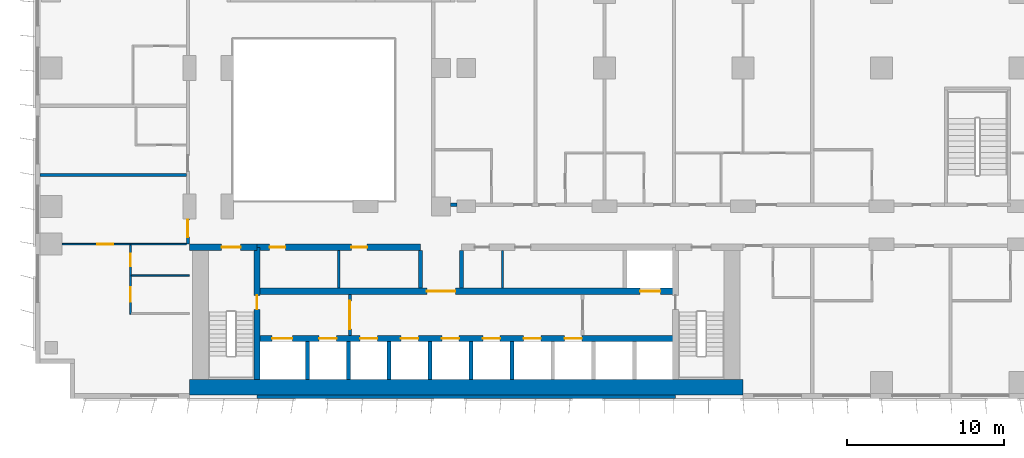
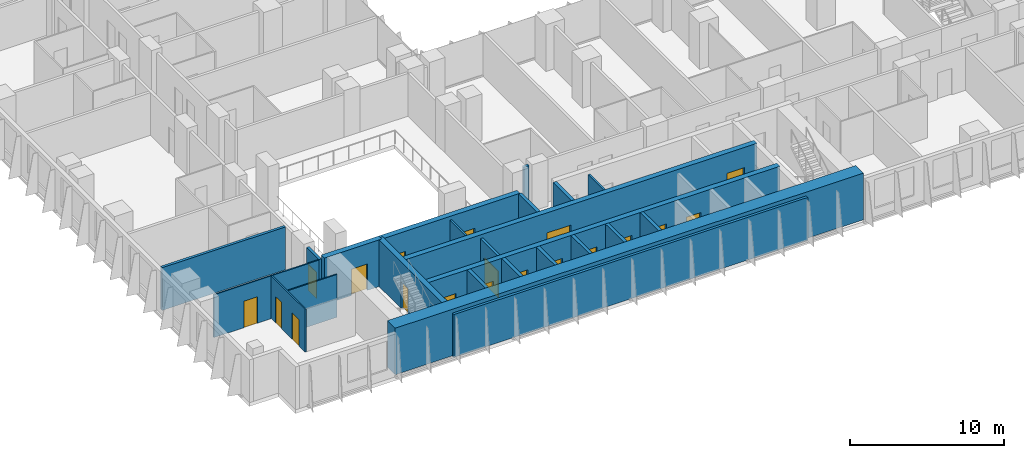
# One storey, part 12 of 24: 24 walls, 19 doors, 19 openings.
"""IFC4 building model written with IfcOpenShell, lengths in metres."""

from ifc_helpers import new_model, si_unit, direction, frame, frame_2d, origin, place, context, subcontext, project, spatial, rectangle, extrude, material, layer, layer_set, type_object, element, fill, save


model = new_model("IFC4")

# Units and contexts
model_context = context("Model", 3, precision=1e-05, world=origin(), true_north=direction((0.0, 1.0)))
body_context = subcontext(model_context, "Body", "Model", "MODEL_VIEW")
ifc_project = project(units=[si_unit("LENGTHUNIT", "METRE"), si_unit("AREAUNIT", "SQUARE_METRE"), si_unit("VOLUMEUNIT", "CUBIC_METRE"), si_unit("PLANEANGLEUNIT", "RADIAN"), si_unit("MASSUNIT", "GRAM", prefix="KILO")], contexts=[model_context])

# Site, building, storey
site_placement = place(None, origin())
site = spatial("IfcSite", under=ifc_project, at=site_placement, CompositionType="ELEMENT")
building_placement = place(site_placement, origin())
building = spatial("IfcBuilding", under=site, at=building_placement, Name="Kemantara Hotel Tower", CompositionType="ELEMENT")
storey_placement = place(building_placement, frame((0.0, 0.0, 59.89990234375)))
storey = spatial("IfcBuildingStorey", under=building, at=storey_placement, Name="L13", CompositionType="ELEMENT", Elevation=59.89990234375)

# Walls
ifc_material_1 = material(Name="Bronze anodised aluminium cladding on insulated steel stud wall", Category="steel")
ifc_layer_1 = layer(ifc_material_1, 0.199951171875)
ifc_layer_set_1 = layer_set([ifc_layer_1], Name="Bronze anodised aluminium cladding on insulated steel stud wall")
wall_type_1 = type_object("IfcWallType", Name="BRONZE METAL-CLAD EXTERNAL WALL 200", PredefinedType="STANDARD", material=ifc_layer_set_1)
wall_1_placement = place(storey_placement, frame((14.10009765625, 0.10009765625, 0.0), z_axis=(0.0, 0.0, 1.0), x_axis=(1.0, 0.0, 0.0)))
element("IfcWall", 1, at=wall_1_placement, inside=storey, type_object=wall_type_1, Name="EXTERNAL WALL L13 T1-R01-2", PredefinedType="STANDARD", context=body_context, shape_type="SweptSolid", body=[
    extrude(rectangle(XDim=26.599853515625, YDim=0.199951171875, at=frame_2d((13.2998046875, 0.0))), origin(), (0.0, 0.0, 1.0), 3.400146484375),
])
ifc_material_2 = material(Name="Concrete fc 70 MPa", Category="concrete")
ifc_layer_2 = layer(ifc_material_2, 1.0)
ifc_layer_set_2 = layer_set([ifc_layer_2], Name="Concrete fc 70 MPa")
wall_type_2 = type_object("IfcWallType", Name="CORE WALL 1000 FC70", PredefinedType="SHEAR", material=ifc_layer_set_2)
wall_2_placement = place(storey_placement, frame((9.800048828125, 0.699951171875, 0.0), z_axis=(0.0, 0.0, 1.0), x_axis=(1.0, 0.0, 0.0)))
element("IfcWall", 2, at=wall_2_placement, inside=storey, type_object=wall_type_2, Name="CORE WALL CW-S", PredefinedType="SHEAR", context=body_context, shape_type="SweptSolid", body=[
    extrude(rectangle(XDim=35.199951171875, YDim=1.0, at=frame_2d((17.60009765625, 0.0))), origin(), (0.0, 0.0, 1.0), 3.7001953125),
])
ifc_layer_3 = layer(ifc_material_2, 0.25)
ifc_layer_set_3 = layer_set([ifc_layer_3], Name="Concrete fc 70 MPa")
wall_type_3 = type_object("IfcWallType", Name="CORE WALL 250 FC70", PredefinedType="SHEAR", material=ifc_layer_set_3)
for number, where, z_axis, x_axis, name in (
    (3, (17.300048828125, 1.199951171875, 0.0), (0.0, 0.0, 1.0), (0.0, 1.0, 0.0), "CORE WALL CW-DS17.3"),
    (4, (19.89990234375, 1.199951171875, 0.0), (0.0, 0.0, 1.0), (0.0, 1.0, 0.0), "CORE WALL CW-DS19.9"),
    (5, (22.5, 1.199951171875, 0.0), (0.0, 0.0, 1.0), (0.0, 1.0, 0.0), "CORE WALL CW-DS22.5"),
    (6, (25.10009765625, 1.199951171875, 0.0), (0.0, 0.0, 1.0), (0.0, 1.0, 0.0), "CORE WALL CW-DS25.1"),
    (7, (27.699951171875, 1.199951171875, 0.0), (0.0, 0.0, 1.0), (0.0, 1.0, 0.0), "CORE WALL CW-DS27.7"),
    (8, (30.300048828125, 1.199951171875, 0.0), (0.0, 0.0, 1.0), (0.0, 1.0, 0.0), "CORE WALL CW-DS30.3"),
):
    element("IfcWall", number, at=place(storey_placement, frame(where, z_axis=z_axis, x_axis=x_axis)), inside=storey, type_object=wall_type_3, Name=name, PredefinedType="SHEAR", context=body_context, shape_type="SweptSolid", body=[
        extrude(rectangle(XDim=2.400146484375, YDim=0.25, at=frame_2d((1.2001953125, 0.0))), origin(), (0.0, 0.0, 1.0), 3.7001953125),
    ])
for number, where, z_axis, x_axis, name in (
    (9, (24.5, 7.0, 0.0), (0.0, 0.0, 1.0), (0.0, 1.0, 0.0), "CORE WALL CW-DN24.5"),
    (10, (27.10009765625, 7.0, 0.0), (0.0, 0.0, 1.0), (0.0, 1.0, 0.0), "CORE WALL CW-DN27.1"),
):
    element("IfcWall", number, at=place(storey_placement, frame(where, z_axis=z_axis, x_axis=x_axis)), inside=storey, type_object=wall_type_3, Name=name, PredefinedType="SHEAR", context=body_context, shape_type="SweptSolid", body=[
        extrude(rectangle(XDim=2.39990234375, YDim=0.25, at=frame_2d((1.199951171875, 0.0))), origin(), (0.0, 0.0, 1.0), 3.7001953125),
    ])

# Wall, opening, door
ifc_layer_4 = layer(ifc_material_2, 0.39990234375)
ifc_layer_set_4 = layer_set([ifc_layer_4], Name="Concrete fc 70 MPa")
wall_type_4 = type_object("IfcWallType", Name="CORE WALL 400 FC70", PredefinedType="SHEAR", material=ifc_layer_set_4)
wall_3_placement = place(storey_placement, frame((9.800048828125, 9.60009765625, 0.0), z_axis=(0.0, 0.0, 1.0), x_axis=(1.0, 0.0, 0.0)))
wall_3 = element("IfcWall", 11, at=wall_3_placement, inside=storey, type_object=wall_type_4, Name="CORE WALL CW-N1", PredefinedType="SHEAR", context=body_context, shape_type="SweptSolid", body=[
    extrude(rectangle(XDim=4.300048828125, YDim=0.39990234375, at=frame_2d((2.14990234375, 0.0))), origin(), (0.0, 0.0, 1.0), 3.7001953125),
])
opening_1_placement = place(wall_3_placement, frame((2.050048828125, 0.0, 0.0)))
opening_1 = element("IfcOpeningElement", 12, at=opening_1_placement, cuts=wall_3, Name="Opening C10-ST1-C", PredefinedType="OPENING", context=body_context, shape_type="SweptSolid", body=[
    extrude(rectangle(XDim=1.199951171875, YDim=2.10009765625, at=frame_2d((0.60009765625, 1.050048828125))), frame((0.0, 0.2099609375, 0.0), z_axis=(0.0, -1.0, 0.0), x_axis=(1.0, 0.0, 0.0)), (0.0, 0.0, 1.0), 0.419921875),
])
ifc_material_3 = material(Name="Steel fire door", Category="steel")
door_type_1 = type_object("IfcDoorType", Name="Fire door FD90 1200 x 2100", OperationType="NOTDEFINED", PredefinedType="DOOR", material=ifc_material_3)
door_1_placement = place(opening_1_placement, frame((1.199951171875, 0.0, 0.0), z_axis=(0.0, 0.0, 1.0), x_axis=(-1.0, 0.0, 0.0)))
door_1 = element("IfcDoor", 13, at=door_1_placement, inside=storey, type_object=door_type_1, Name="Stair ST1 door to corridor", OperationType="SINGLE_SWING_LEFT", OverallHeight=2.10009765625, OverallWidth=1.199951171875, PredefinedType="DOOR", context=body_context, shape_type="SweptSolid", body=[
    extrude(rectangle(XDim=1.199951171875, YDim=2.10009765625, at=frame_2d((0.60009765625, 1.050048828125))), frame((0.0, 0.02490234375, 0.0), z_axis=(0.0, -1.0, 0.0), x_axis=(1.0, 0.0, 0.0)), (0.0, 0.0, 1.0), 0.050048828125),
])
fill(opening_1, door_1)

# Wall, openings, doors
wall_4_placement = place(storey_placement, frame((14.10009765625, 9.60009765625, 0.0), z_axis=(0.0, 0.0, 1.0), x_axis=(1.0, 0.0, 0.0)))
wall_4 = element("IfcWall", 14, at=wall_4_placement, inside=storey, type_object=wall_type_4, Name="CORE WALL CW-NN1", PredefinedType="SHEAR", context=body_context, shape_type="SweptSolid", body=[
    extrude(rectangle(XDim=10.39990234375, YDim=0.39990234375, at=frame_2d((5.199951171875, 0.0))), origin(), (0.0, 0.0, 1.0), 3.7001953125),
])
opening_2_placement = place(wall_4_placement, frame((0.800048828125, 0.0, 0.0)))
opening_2 = element("IfcOpeningElement", 15, at=opening_2_placement, cuts=wall_4, Name="Opening C10-R-NW1", PredefinedType="OPENING", context=body_context, shape_type="SweptSolid", body=[
    extrude(rectangle(XDim=1.0, YDim=2.10009765625, at=frame_2d((0.5, 1.050048828125))), frame((0.0, 0.2099609375, 0.0), z_axis=(0.0, -1.0, 0.0), x_axis=(1.0, 0.0, 0.0)), (0.0, 0.0, 1.0), 0.419921875),
])
opening_3_placement = place(wall_4_placement, frame((6.0, 0.0, 0.0)))
opening_3 = element("IfcOpeningElement", 16, at=opening_3_placement, cuts=wall_4, Name="Opening C10-R-NW2", PredefinedType="OPENING", context=body_context, shape_type="SweptSolid", body=[
    extrude(rectangle(XDim=1.0, YDim=2.10009765625, at=frame_2d((0.5, 1.050048828125))), frame((0.0, 0.2099609375, 0.0), z_axis=(0.0, -1.0, 0.0), x_axis=(1.0, 0.0, 0.0)), (0.0, 0.0, 1.0), 0.419921875),
])
door_type_2 = type_object("IfcDoorType", Name="Fire door FD30S 1000 x 2100", OperationType="NOTDEFINED", PredefinedType="DOOR", material=ifc_material_3)
door_2_placement = place(opening_2_placement, frame((1.0, 0.0, 0.0), z_axis=(0.0, 0.0, 1.0), x_axis=(-1.0, 0.0, 0.0)))
door_2 = element("IfcDoor", 17, at=door_2_placement, inside=storey, type_object=door_type_2, Name="Linen Store door", OperationType="SINGLE_SWING_RIGHT", OverallHeight=2.10009765625, OverallWidth=1.0, PredefinedType="DOOR", context=body_context, shape_type="SweptSolid", body=[
    extrude(rectangle(XDim=1.0, YDim=2.10009765625, at=frame_2d((0.5, 1.050048828125))), frame((0.0, 0.02490234375, 0.0), z_axis=(0.0, -1.0, 0.0), x_axis=(1.0, 0.0, 0.0)), (0.0, 0.0, 1.0), 0.050048828125),
])
fill(opening_2, door_2)
door_3_placement = place(opening_3_placement, frame((1.0, 0.0, 0.0), z_axis=(0.0, 0.0, 1.0), x_axis=(-1.0, 0.0, 0.0)))
door_3 = element("IfcDoor", 18, at=door_3_placement, inside=storey, type_object=door_type_2, Name="Ice And Vending Room door", OperationType="SINGLE_SWING_LEFT", OverallHeight=2.10009765625, OverallWidth=1.0, PredefinedType="DOOR", context=body_context, shape_type="SweptSolid", body=[
    extrude(rectangle(XDim=1.0, YDim=2.10009765625, at=frame_2d((0.5, 1.050048828125))), frame((0.0, 0.02490234375, 0.0), z_axis=(0.0, -1.0, 0.0), x_axis=(1.0, 0.0, 0.0)), (0.0, 0.0, 1.0), 0.050048828125),
])
fill(opening_3, door_3)

wall_5_placement = place(storey_placement, frame((14.10009765625, 3.800048828125, 0.0), z_axis=(0.0, 0.0, 1.0), x_axis=(1.0, 0.0, 0.0)))
wall_5 = element("IfcWall", 19, at=wall_5_placement, inside=storey, type_object=wall_type_4, Name="CORE WALL CW-L1", PredefinedType="SHEAR", context=body_context, shape_type="SweptSolid", body=[
    extrude(rectangle(XDim=26.599853515625, YDim=0.39990234375, at=frame_2d((13.2998046875, 0.0))), origin(), (0.0, 0.0, 1.0), 3.7001953125),
])
opening_4_placement = place(wall_5_placement, frame((0.949951171875, 0.0, 0.0)))
opening_4 = element("IfcOpeningElement", 20, at=opening_4_placement, cuts=wall_5, Name="Opening C10-LD-FF1", PredefinedType="OPENING", context=body_context, shape_type="SweptSolid", body=[
    extrude(rectangle(XDim=1.300048828125, YDim=2.10009765625, at=frame_2d((0.64990234375, 1.050048828125))), frame((0.0, 0.2099609375, 0.0), z_axis=(0.0, -1.0, 0.0), x_axis=(1.0, 0.0, 0.0)), (0.0, 0.0, 1.0), 0.419921875),
])
opening_5_placement = place(wall_5_placement, frame((3.949951171875, 0.0, 0.0)))
opening_5 = element("IfcOpeningElement", 21, at=opening_5_placement, cuts=wall_5, Name="Opening C10-LD-SV1", PredefinedType="OPENING", context=body_context, shape_type="SweptSolid", body=[
    extrude(rectangle(XDim=1.10009765625, YDim=2.10009765625, at=frame_2d((0.550048828125, 1.050048828125))), frame((0.0, 0.2099609375, 0.0), z_axis=(0.0, -1.0, 0.0), x_axis=(1.0, 0.0, 0.0)), (0.0, 0.0, 1.0), 0.419921875),
])
opening_6_placement = place(wall_5_placement, frame((6.550048828125, 0.0, 0.0)))
opening_6 = element("IfcOpeningElement", 22, at=opening_6_placement, cuts=wall_5, Name="Opening C10-LD-SV2", PredefinedType="OPENING", context=body_context, shape_type="SweptSolid", body=[
    extrude(rectangle(XDim=1.10009765625, YDim=2.10009765625, at=frame_2d((0.550048828125, 1.050048828125))), frame((0.0, 0.2099609375, 0.0), z_axis=(0.0, -1.0, 0.0), x_axis=(1.0, 0.0, 0.0)), (0.0, 0.0, 1.0), 0.419921875),
])
opening_7_placement = place(wall_5_placement, frame((9.14990234375, 0.0, 0.0)))
opening_7 = element("IfcOpeningElement", 23, at=opening_7_placement, cuts=wall_5, Name="Opening C10-LD-SV3", PredefinedType="OPENING", context=body_context, shape_type="SweptSolid", body=[
    extrude(rectangle(XDim=1.10009765625, YDim=2.10009765625, at=frame_2d((0.550048828125, 1.050048828125))), frame((0.0, 0.2099609375, 0.0), z_axis=(0.0, -1.0, 0.0), x_axis=(1.0, 0.0, 0.0)), (0.0, 0.0, 1.0), 0.419921875),
])
opening_8_placement = place(wall_5_placement, frame((11.75, 0.0, 0.0)))
opening_8 = element("IfcOpeningElement", 24, at=opening_8_placement, cuts=wall_5, Name="Opening C10-LD-LR1", PredefinedType="OPENING", context=body_context, shape_type="SweptSolid", body=[
    extrude(rectangle(XDim=1.10009765625, YDim=2.10009765625, at=frame_2d((0.550048828125, 1.050048828125))), frame((0.0, 0.2099609375, 0.0), z_axis=(0.0, -1.0, 0.0), x_axis=(1.0, 0.0, 0.0)), (0.0, 0.0, 1.0), 0.419921875),
])
opening_9_placement = place(wall_5_placement, frame((14.35009765625, 0.0, 0.0)))
opening_9 = element("IfcOpeningElement", 25, at=opening_9_placement, cuts=wall_5, Name="Opening C10-LD-LR2", PredefinedType="OPENING", context=body_context, shape_type="SweptSolid", body=[
    extrude(rectangle(XDim=1.10009765625, YDim=2.10009765625, at=frame_2d((0.550048828125, 1.050048828125))), frame((0.0, 0.2099609375, 0.0), z_axis=(0.0, -1.0, 0.0), x_axis=(1.0, 0.0, 0.0)), (0.0, 0.0, 1.0), 0.419921875),
])
opening_10_placement = place(wall_5_placement, frame((16.949951171875, 0.0, 0.0)))
opening_10 = element("IfcOpeningElement", 26, at=opening_10_placement, cuts=wall_5, Name="Opening C10-LD-LR3", PredefinedType="OPENING", context=body_context, shape_type="SweptSolid", body=[
    extrude(rectangle(XDim=1.10009765625, YDim=2.10009765625, at=frame_2d((0.550048828125, 1.050048828125))), frame((0.0, 0.2099609375, 0.0), z_axis=(0.0, -1.0, 0.0), x_axis=(1.0, 0.0, 0.0)), (0.0, 0.0, 1.0), 0.419921875),
])
opening_11_placement = place(wall_5_placement, frame((19.550048828125, 0.0, 0.0)))
opening_11 = element("IfcOpeningElement", 27, at=opening_11_placement, cuts=wall_5, Name="Opening C10-LD-LR4", PredefinedType="OPENING", context=body_context, shape_type="SweptSolid", body=[
    extrude(rectangle(XDim=1.10009765625, YDim=2.10009765625, at=frame_2d((0.550048828125, 1.050048828125))), frame((0.0, 0.2099609375, 0.0), z_axis=(0.0, -1.0, 0.0), x_axis=(1.0, 0.0, 0.0)), (0.0, 0.0, 1.0), 0.419921875),
])
ifc_material_4 = material(Name="Stainless steel lift door", Category="steel")
door_type_3 = type_object("IfcDoorType", Name="Lift landing door 1100 x 2100 FD60", OperationType="DOUBLE_DOOR_SLIDING", PredefinedType="DOOR", material=ifc_material_4)
door_4_placement = place(opening_5_placement, origin())
door_4 = element("IfcDoor", 28, at=door_4_placement, inside=storey, type_object=door_type_3, Name="Lift SV1 landing door", OperationType="DOUBLE_DOOR_SLIDING", OverallHeight=2.10009765625, OverallWidth=1.10009765625, PredefinedType="DOOR", context=body_context, shape_type="SweptSolid", body=[
    extrude(rectangle(XDim=1.10009765625, YDim=2.10009765625, at=frame_2d((0.550048828125, 1.050048828125))), frame((0.0, 0.02490234375, 0.0), z_axis=(0.0, -1.0, 0.0), x_axis=(1.0, 0.0, 0.0)), (0.0, 0.0, 1.0), 0.050048828125),
])
fill(opening_5, door_4)
door_5_placement = place(opening_6_placement, origin())
door_5 = element("IfcDoor", 29, at=door_5_placement, inside=storey, type_object=door_type_3, Name="Lift SV2 landing door", OperationType="DOUBLE_DOOR_SLIDING", OverallHeight=2.10009765625, OverallWidth=1.10009765625, PredefinedType="DOOR", context=body_context, shape_type="SweptSolid", body=[
    extrude(rectangle(XDim=1.10009765625, YDim=2.10009765625, at=frame_2d((0.550048828125, 1.050048828125))), frame((0.0, 0.02490234375, 0.0), z_axis=(0.0, -1.0, 0.0), x_axis=(1.0, 0.0, 0.0)), (0.0, 0.0, 1.0), 0.050048828125),
])
fill(opening_6, door_5)
door_6_placement = place(opening_7_placement, origin())
door_6 = element("IfcDoor", 30, at=door_6_placement, inside=storey, type_object=door_type_3, Name="Lift SV3 landing door", OperationType="DOUBLE_DOOR_SLIDING", OverallHeight=2.10009765625, OverallWidth=1.10009765625, PredefinedType="DOOR", context=body_context, shape_type="SweptSolid", body=[
    extrude(rectangle(XDim=1.10009765625, YDim=2.10009765625, at=frame_2d((0.550048828125, 1.050048828125))), frame((0.0, 0.02490234375, 0.0), z_axis=(0.0, -1.0, 0.0), x_axis=(1.0, 0.0, 0.0)), (0.0, 0.0, 1.0), 0.050048828125),
])
fill(opening_7, door_6)
door_7_placement = place(opening_8_placement, origin())
door_7 = element("IfcDoor", 31, at=door_7_placement, inside=storey, type_object=door_type_3, Name="Lift LR1 landing door", OperationType="DOUBLE_DOOR_SLIDING", OverallHeight=2.10009765625, OverallWidth=1.10009765625, PredefinedType="DOOR", context=body_context, shape_type="SweptSolid", body=[
    extrude(rectangle(XDim=1.10009765625, YDim=2.10009765625, at=frame_2d((0.550048828125, 1.050048828125))), frame((0.0, 0.02490234375, 0.0), z_axis=(0.0, -1.0, 0.0), x_axis=(1.0, 0.0, 0.0)), (0.0, 0.0, 1.0), 0.050048828125),
])
fill(opening_8, door_7)
door_8_placement = place(opening_9_placement, origin())
door_8 = element("IfcDoor", 32, at=door_8_placement, inside=storey, type_object=door_type_3, Name="Lift LR2 landing door", OperationType="DOUBLE_DOOR_SLIDING", OverallHeight=2.10009765625, OverallWidth=1.10009765625, PredefinedType="DOOR", context=body_context, shape_type="SweptSolid", body=[
    extrude(rectangle(XDim=1.10009765625, YDim=2.10009765625, at=frame_2d((0.550048828125, 1.050048828125))), frame((0.0, 0.02490234375, 0.0), z_axis=(0.0, -1.0, 0.0), x_axis=(1.0, 0.0, 0.0)), (0.0, 0.0, 1.0), 0.050048828125),
])
fill(opening_9, door_8)
door_9_placement = place(opening_10_placement, origin())
door_9 = element("IfcDoor", 33, at=door_9_placement, inside=storey, type_object=door_type_3, Name="Lift LR3 landing door", OperationType="DOUBLE_DOOR_SLIDING", OverallHeight=2.10009765625, OverallWidth=1.10009765625, PredefinedType="DOOR", context=body_context, shape_type="SweptSolid", body=[
    extrude(rectangle(XDim=1.10009765625, YDim=2.10009765625, at=frame_2d((0.550048828125, 1.050048828125))), frame((0.0, 0.02490234375, 0.0), z_axis=(0.0, -1.0, 0.0), x_axis=(1.0, 0.0, 0.0)), (0.0, 0.0, 1.0), 0.050048828125),
])
fill(opening_10, door_9)
door_10_placement = place(opening_11_placement, origin())
door_10 = element("IfcDoor", 34, at=door_10_placement, inside=storey, type_object=door_type_3, Name="Lift LR4 landing door", OperationType="DOUBLE_DOOR_SLIDING", OverallHeight=2.10009765625, OverallWidth=1.10009765625, PredefinedType="DOOR", context=body_context, shape_type="SweptSolid", body=[
    extrude(rectangle(XDim=1.10009765625, YDim=2.10009765625, at=frame_2d((0.550048828125, 1.050048828125))), frame((0.0, 0.02490234375, 0.0), z_axis=(0.0, -1.0, 0.0), x_axis=(1.0, 0.0, 0.0)), (0.0, 0.0, 1.0), 0.050048828125),
])
fill(opening_11, door_10)
door_type_4 = type_object("IfcDoorType", Name="Lift landing door 1300 x 2100 FD90", OperationType="DOUBLE_DOOR_SLIDING", PredefinedType="DOOR", material=ifc_material_4)
door_11_placement = place(opening_4_placement, origin())
door_11 = element("IfcDoor", 35, at=door_11_placement, inside=storey, type_object=door_type_4, Name="Lift FF1 landing door", OperationType="DOUBLE_DOOR_SLIDING", OverallHeight=2.10009765625, OverallWidth=1.300048828125, PredefinedType="DOOR", context=body_context, shape_type="SweptSolid", body=[
    extrude(rectangle(XDim=1.300048828125, YDim=2.10009765625, at=frame_2d((0.64990234375, 1.050048828125))), frame((0.0, 0.02490234375, 0.0), z_axis=(0.0, -1.0, 0.0), x_axis=(1.0, 0.0, 0.0)), (0.0, 0.0, 1.0), 0.050048828125),
])
fill(opening_4, door_11)

wall_6_placement = place(storey_placement, frame((14.10009765625, 6.800048828125, 0.0), z_axis=(0.0, 0.0, 1.0), x_axis=(1.0, 0.0, 0.0)))
wall_6 = element("IfcWall", 36, at=wall_6_placement, inside=storey, type_object=wall_type_4, Name="CORE WALL CW-L2", PredefinedType="SHEAR", context=body_context, shape_type="SweptSolid", body=[
    extrude(rectangle(XDim=26.599853515625, YDim=0.39990234375, at=frame_2d((13.2998046875, 0.0))), origin(), (0.0, 0.0, 1.0), 3.7001953125),
])
opening_12_placement = place(wall_6_placement, frame((10.800048828125, 0.0, 0.0)))
opening_12 = element("IfcOpeningElement", 37, at=opening_12_placement, cuts=wall_6, Name="Opening C10-VL", PredefinedType="OPENING", context=body_context, shape_type="SweptSolid", body=[
    extrude(rectangle(XDim=1.800048828125, YDim=2.10009765625, at=frame_2d((0.89990234375, 1.050048828125))), frame((0.0, 0.2099609375, 0.0), z_axis=(0.0, -1.0, 0.0), x_axis=(1.0, 0.0, 0.0)), (0.0, 0.0, 1.0), 0.419921875),
])
opening_13_placement = place(wall_6_placement, frame((24.35009765625, 0.0, 0.0)))
opening_13 = element("IfcOpeningElement", 38, at=opening_13_placement, cuts=wall_6, Name="Opening C10-LD-FF2", PredefinedType="OPENING", context=body_context, shape_type="SweptSolid", body=[
    extrude(rectangle(XDim=1.300048828125, YDim=2.10009765625, at=frame_2d((0.64990234375, 1.050048828125))), frame((0.0, 0.2099609375, 0.0), z_axis=(0.0, -1.0, 0.0), x_axis=(1.0, 0.0, 0.0)), (0.0, 0.0, 1.0), 0.419921875),
])
door_type_5 = type_object("IfcDoorType", Name="Fire door pair FD60 1800 x 2100", OperationType="DOUBLE_DOOR_SINGLE_SWING", PredefinedType="DOOR", material=ifc_material_3)
door_12_placement = place(opening_12_placement, frame((1.800048828125, 0.0, 0.0), z_axis=(0.0, 0.0, 1.0), x_axis=(-1.0, 0.0, 0.0)))
door_12 = element("IfcDoor", 39, at=door_12_placement, inside=storey, type_object=door_type_5, Name="Lift lobby entry door", OperationType="DOUBLE_DOOR_SINGLE_SWING", OverallHeight=2.10009765625, OverallWidth=1.800048828125, PredefinedType="DOOR", context=body_context, shape_type="SweptSolid", body=[
    extrude(rectangle(XDim=1.800048828125, YDim=2.10009765625, at=frame_2d((0.89990234375, 1.050048828125))), frame((0.0, 0.02490234375, 0.0), z_axis=(0.0, -1.0, 0.0), x_axis=(1.0, 0.0, 0.0)), (0.0, 0.0, 1.0), 0.050048828125),
])
fill(opening_12, door_12)
door_13_placement = place(opening_13_placement, origin())
door_13 = element("IfcDoor", 40, at=door_13_placement, inside=storey, type_object=door_type_4, Name="Lift FF2 landing door", OperationType="DOUBLE_DOOR_SLIDING", OverallHeight=2.10009765625, OverallWidth=1.300048828125, PredefinedType="DOOR", context=body_context, shape_type="SweptSolid", body=[
    extrude(rectangle(XDim=1.300048828125, YDim=2.10009765625, at=frame_2d((0.64990234375, 1.050048828125))), frame((0.0, 0.02490234375, 0.0), z_axis=(0.0, -1.0, 0.0), x_axis=(1.0, 0.0, 0.0)), (0.0, 0.0, 1.0), 0.050048828125),
])
fill(opening_13, door_13)

# Wall, opening, door
wall_7_placement = place(storey_placement, frame((14.10009765625, 1.199951171875, 0.0), z_axis=(0.0, 0.0, 1.0), x_axis=(0.0, 1.0, 0.0)))
wall_7 = element("IfcWall", 41, at=wall_7_placement, inside=storey, type_object=wall_type_4, Name="CORE WALL CW-ST1E", PredefinedType="SHEAR", context=body_context, shape_type="SweptSolid", body=[
    extrude(rectangle(XDim=8.400146484375, YDim=0.39990234375, at=frame_2d((4.2001953125, 0.0))), origin(), (0.0, 0.0, 1.0), 3.7001953125),
])
opening_14_placement = place(wall_7_placement, frame((4.449951171875, 0.0, 0.0)))
opening_14 = element("IfcOpeningElement", 42, at=opening_14_placement, cuts=wall_7, Name="Opening C10-ST1-F", PredefinedType="OPENING", context=body_context, shape_type="SweptSolid", body=[
    extrude(rectangle(XDim=0.89990234375, YDim=2.10009765625, at=frame_2d((0.449951171875, 1.050048828125))), frame((0.0, 0.2099609375, 0.0), z_axis=(0.0, -1.0, 0.0), x_axis=(1.0, 0.0, 0.0)), (0.0, 0.0, 1.0), 0.419921875),
])
door_type_6 = type_object("IfcDoorType", Name="Fire door FD90 900 x 2100", OperationType="NOTDEFINED", PredefinedType="DOOR", material=ifc_material_3)
door_14_placement = place(opening_14_placement, origin())
door_14 = element("IfcDoor", 43, at=door_14_placement, inside=storey, type_object=door_type_6, Name="Stair ST1 door to firefighting lobby", OperationType="SINGLE_SWING_RIGHT", OverallHeight=2.10009765625, OverallWidth=0.89990234375, PredefinedType="DOOR", context=body_context, shape_type="SweptSolid", body=[
    extrude(rectangle(XDim=0.89990234375, YDim=2.10009765625, at=frame_2d((0.449951171875, 1.050048828125))), frame((0.0, 0.02490234375, 0.0), z_axis=(0.0, -1.0, 0.0), x_axis=(1.0, 0.0, 0.0)), (0.0, 0.0, 1.0), 0.050048828125),
])
fill(opening_14, door_14)

# Wall
ifc_material_5 = material(Name="Gypsum board partition, steel studs and mineral wool, 200 mm", Category="steel")
ifc_layer_5 = layer(ifc_material_5, 0.199951171875)
ifc_layer_set_5 = layer_set([ifc_layer_5], Name="Gypsum board partition, steel studs and mineral wool, 200 mm")
wall_type_5 = type_object("IfcWallType", Name="CORRIDOR WALL 200", PredefinedType="PARTITIONING", material=ifc_layer_set_5)
wall_8_placement = place(storey_placement, frame((26.400146484375, 12.300048828125, 0.0), z_axis=(0.0, 0.0, 1.0), x_axis=(1.0, 0.0, 0.0)))
element("IfcWall", 44, at=wall_8_placement, inside=storey, type_object=wall_type_5, Name="CORRIDOR WALL 200 011", PredefinedType="PARTITIONING", context=body_context, shape_type="SweptSolid", body=[
    extrude(rectangle(XDim=0.399658203125, YDim=0.199951171875, at=frame_2d((0.19970703125, 0.0))), origin(), (0.0, 0.0, 1.0), 3.400146484375),
])

# Wall, opening, door
wall_9_placement = place(storey_placement, frame((9.699951171875, 9.800048828125, 0.0), z_axis=(0.0, 0.0, 1.0), x_axis=(0.0, 1.0, 0.0)))
wall_9 = element("IfcWall", 45, at=wall_9_placement, inside=storey, type_object=wall_type_5, Name="CORRIDOR WALL 200 025", PredefinedType="PARTITIONING", context=body_context, shape_type="SweptSolid", body=[
    extrude(rectangle(XDim=1.599853515625, YDim=0.199951171875, at=frame_2d((0.7998046875, 0.0))), origin(), (0.0, 0.0, 1.0), 3.400146484375),
])
opening_15_placement = place(wall_9_placement, frame((0.449951171875, 0.0, 0.0)))
opening_15 = element("IfcOpeningElement", 46, at=opening_15_placement, cuts=wall_9, Name="Opening F04-029", PredefinedType="OPENING", context=body_context, shape_type="SweptSolid", body=[
    extrude(rectangle(XDim=1.10009765625, YDim=2.10009765625, at=frame_2d((0.550048828125, 1.050048828125))), frame((0.0, 0.10986328125, 0.0), z_axis=(0.0, -1.0, 0.0), x_axis=(1.0, 0.0, 0.0)), (0.0, 0.0, 1.0), 0.219970703125),
])
ifc_material_6 = material(Name="Hardwood veneer door leaf with steel frame", Category="steel")
door_type_7 = type_object("IfcDoorType", Name="SUITE ENTRANCE DOOR 1100 X 2100 FD30S", OperationType="NOTDEFINED", PredefinedType="DOOR", material=ifc_material_6)
door_15_placement = place(opening_15_placement, origin())
door_15 = element("IfcDoor", 47, at=door_15_placement, inside=storey, type_object=door_type_7, Name="SUITE ENTRANCE DOOR F04-029", OperationType="SINGLE_SWING_RIGHT", OverallHeight=2.10009765625, OverallWidth=1.10009765625, PredefinedType="DOOR", context=body_context, shape_type="SweptSolid", body=[
    extrude(rectangle(XDim=1.10009765625, YDim=2.10009765625, at=frame_2d((0.550048828125, 1.050048828125))), frame((0.0, 0.02490234375, 0.0), z_axis=(0.0, -1.0, 0.0), x_axis=(1.0, 0.0, 0.0)), (0.0, 0.0, 1.0), 0.050048828125),
])
fill(opening_15, door_15)

# Walls
ifc_layer_6 = layer(ifc_material_5, 0.199951171875)
ifc_layer_set_6 = layer_set([ifc_layer_6], Name="Gypsum board partition, steel studs and mineral wool, 200 mm")
wall_type_6 = type_object("IfcWallType", Name="GUEST ROOM PARTY WALL 200", PredefinedType="PARTITIONING", material=ifc_layer_set_6)
wall_10_placement = place(storey_placement, frame((0.31005859375, 14.199951171875, 0.0), z_axis=(0.0, 0.0, 1.0), x_axis=(1.0, 0.0, 0.0)))
element("IfcWall", 48, at=wall_10_placement, inside=storey, type_object=wall_type_6, Name="GUEST ROOM PARTY WALL 200 034", PredefinedType="PARTITIONING", context=body_context, shape_type="SweptSolid", body=[
    extrude(rectangle(XDim=9.2900390625, YDim=0.199951171875, at=frame_2d((4.64501953125, 0.0))), origin(), (0.0, 0.0, 1.0), 3.400146484375),
])
ifc_material_7 = material(Name="Gypsum board partition")
ifc_layer_7 = layer(ifc_material_7, 0.14990234375)
ifc_layer_set_7 = layer_set([ifc_layer_7], Name="Gypsum board partition")
wall_type_7 = type_object("IfcWallType", Name="Gypsum board partition 150 mm", PredefinedType="PARTITIONING", material=ifc_layer_set_7)
for number, where, z_axis, x_axis, name in (
    (49, (19.300048828125, 7.0, 0.0), (0.0, 0.0, 1.0), (0.0, 1.0, 0.0), "Core room partition"),
    (50, (29.699951171875, 7.0, 0.0), (0.0, 0.0, 1.0), (0.0, 1.0, 0.0), "Core room partition"),
):
    element("IfcWall", number, at=place(storey_placement, frame(where, z_axis=z_axis, x_axis=x_axis)), inside=storey, type_object=wall_type_7, Name=name, PredefinedType="PARTITIONING", context=body_context, shape_type="SweptSolid", body=[
        extrude(rectangle(XDim=2.39990234375, YDim=0.14990234375, at=frame_2d((1.199951171875, 0.0))), origin(), (0.0, 0.0, 1.0), 3.400146484375),
    ])

# Wall, opening, door
ifc_material_8 = material(Name="Gypsum board shaft wall")
ifc_layer_8 = layer(ifc_material_8, 0.199951171875)
ifc_layer_set_8 = layer_set([ifc_layer_8], Name="Gypsum board shaft wall")
wall_type_8 = type_object("IfcWallType", Name="Gypsum board shaft wall 200 mm", PredefinedType="PARTITIONING", material=ifc_layer_set_8)
wall_11_placement = place(storey_placement, frame((20.0, 4.0, 0.0), z_axis=(0.0, 0.0, 1.0), x_axis=(0.0, 1.0, 0.0)))
wall_11 = element("IfcWall", 51, at=wall_11_placement, inside=storey, type_object=wall_type_8, Name="Firefighting lobby partition west", PredefinedType="PARTITIONING", context=body_context, shape_type="SweptSolid", body=[
    extrude(rectangle(XDim=2.60009765625, YDim=0.199951171875, at=frame_2d((1.300048828125, 0.0))), origin(), (0.0, 0.0, 1.0), 3.400146484375),
])
opening_16_placement = place(wall_11_placement, frame((0.39990234375, 0.0, 0.0)))
opening_16 = element("IfcOpeningElement", 52, at=opening_16_placement, cuts=wall_11, Name="Opening C10-FFW", PredefinedType="OPENING", context=body_context, shape_type="SweptSolid", body=[
    extrude(rectangle(XDim=1.800048828125, YDim=2.10009765625, at=frame_2d((0.89990234375, 1.050048828125))), frame((0.0, 0.10986328125, 0.0), z_axis=(0.0, -1.0, 0.0), x_axis=(1.0, 0.0, 0.0)), (0.0, 0.0, 1.0), 0.219970703125),
])
door_16_placement = place(opening_16_placement, origin())
door_16 = element("IfcDoor", 53, at=door_16_placement, inside=storey, type_object=door_type_5, Name="Firefighting lobby door west", OperationType="DOUBLE_DOOR_SINGLE_SWING", OverallHeight=2.10009765625, OverallWidth=1.800048828125, PredefinedType="DOOR", context=body_context, shape_type="SweptSolid", body=[
    extrude(rectangle(XDim=1.800048828125, YDim=2.10009765625, at=frame_2d((0.89990234375, 1.050048828125))), frame((0.0, 0.02490234375, 0.0), z_axis=(0.0, -1.0, 0.0), x_axis=(1.0, 0.0, 0.0)), (0.0, 0.0, 1.0), 0.050048828125),
])
fill(opening_16, door_16)

# Wall, openings, doors
ifc_material_9 = material(Name="Gypsum board partition on steel studs, 100 mm", Category="steel")
ifc_layer_9 = layer(ifc_material_9, 0.10009765625)
ifc_layer_set_9 = layer_set([ifc_layer_9], Name="Gypsum board partition on steel studs, 100 mm")
wall_type_9 = type_object("IfcWallType", Name="ROOM PARTITION 100", PredefinedType="PARTITIONING", material=ifc_layer_set_9)
wall_12_placement = place(storey_placement, frame((6.050048828125, 9.75, 0.0), z_axis=(0.0, 0.0, 1.0), x_axis=(0.0, -1.0, 0.0)))
wall_12 = element("IfcWall", 54, at=wall_12_placement, inside=storey, type_object=wall_type_9, Name="ROOM PARTITION 100 094", PredefinedType="PARTITIONING", context=body_context, shape_type="SweptSolid", body=[
    extrude(rectangle(XDim=4.39990234375, YDim=0.10009765625, at=frame_2d((2.199951171875, 0.0))), origin(), (0.0, 0.0, 1.0), 3.400146484375),
])
opening_17_placement = place(wall_12_placement, frame((2.699951171875, 0.0, 0.0)))
opening_17 = element("IfcOpeningElement", 55, at=opening_17_placement, cuts=wall_12, Name="Opening F04-031", PredefinedType="OPENING", context=body_context, shape_type="SweptSolid", body=[
    extrude(rectangle(XDim=0.89990234375, YDim=2.10009765625, at=frame_2d((0.449951171875, 1.050048828125))), frame((0.0, 0.06005859375, 0.0), z_axis=(0.0, -1.0, 0.0), x_axis=(1.0, 0.0, 0.0)), (0.0, 0.0, 1.0), 0.1201171875),
])
opening_18_placement = place(wall_12_placement, frame((0.550048828125, 0.0, 0.0)))
opening_18 = element("IfcOpeningElement", 56, at=opening_18_placement, cuts=wall_12, Name="Opening F04-032", PredefinedType="OPENING", context=body_context, shape_type="SweptSolid", body=[
    extrude(rectangle(XDim=0.800048828125, YDim=2.10009765625, at=frame_2d((0.39990234375, 1.050048828125))), frame((0.0, 0.06005859375, 0.0), z_axis=(0.0, -1.0, 0.0), x_axis=(1.0, 0.0, 0.0)), (0.0, 0.0, 1.0), 0.1201171875),
])
door_type_8 = type_object("IfcDoorType", Name="BATHROOM DOOR 900 X 2100", OperationType="NOTDEFINED", PredefinedType="DOOR", material=ifc_material_6)
door_17_placement = place(opening_17_placement, origin())
door_17 = element("IfcDoor", 57, at=door_17_placement, inside=storey, type_object=door_type_8, Name="BATHROOM DOOR F04-031", OperationType="SINGLE_SWING_LEFT", OverallHeight=2.10009765625, OverallWidth=0.89990234375, PredefinedType="DOOR", context=body_context, shape_type="SweptSolid", body=[
    extrude(rectangle(XDim=0.89990234375, YDim=2.10009765625, at=frame_2d((0.449951171875, 1.050048828125))), frame((0.0, 0.02490234375, 0.0), z_axis=(0.0, -1.0, 0.0), x_axis=(1.0, 0.0, 0.0)), (0.0, 0.0, 1.0), 0.050048828125),
])
fill(opening_17, door_17)
door_type_9 = type_object("IfcDoorType", Name="WARDROBE DOOR 800 X 2100", OperationType="NOTDEFINED", PredefinedType="DOOR", material=ifc_material_6)
door_18_placement = place(opening_18_placement, origin())
door_18 = element("IfcDoor", 58, at=door_18_placement, inside=storey, type_object=door_type_9, Name="WARDROBE DOOR F04-032", OperationType="SINGLE_SWING_LEFT", OverallHeight=2.10009765625, OverallWidth=0.800048828125, PredefinedType="DOOR", context=body_context, shape_type="SweptSolid", body=[
    extrude(rectangle(XDim=0.800048828125, YDim=2.10009765625, at=frame_2d((0.39990234375, 1.050048828125))), frame((0.0, 0.02490234375, 0.0), z_axis=(0.0, -1.0, 0.0), x_axis=(1.0, 0.0, 0.0)), (0.0, 0.0, 1.0), 0.050048828125),
])
fill(opening_18, door_18)

# Wall, opening, door
wall_13_placement = place(storey_placement, frame((9.60009765625, 9.800048828125, 0.0), z_axis=(0.0, 0.0, 1.0), x_axis=(-1.0, 0.0, 0.0)))
wall_13 = element("IfcWall", 59, at=wall_13_placement, inside=storey, type_object=wall_type_9, Name="ROOM PARTITION 100 096", PredefinedType="PARTITIONING", context=body_context, shape_type="SweptSolid", body=[
    extrude(rectangle(XDim=7.89990234375, YDim=0.10009765625, at=frame_2d((3.949951171875, 0.0))), origin(), (0.0, 0.0, 1.0), 3.400146484375),
])
opening_19_placement = place(wall_13_placement, frame((4.64990234375, 0.0, 0.0)))
opening_19 = element("IfcOpeningElement", 60, at=opening_19_placement, cuts=wall_13, Name="Opening F04-030", PredefinedType="OPENING", context=body_context, shape_type="SweptSolid", body=[
    extrude(rectangle(XDim=1.0, YDim=2.10009765625, at=frame_2d((0.5, 1.050048828125))), frame((0.0, 0.06005859375, 0.0), z_axis=(0.0, -1.0, 0.0), x_axis=(1.0, 0.0, 0.0)), (0.0, 0.0, 1.0), 0.1201171875),
])
door_type_10 = type_object("IfcDoorType", Name="INTERNAL DOOR 1000 X 2100", OperationType="NOTDEFINED", PredefinedType="DOOR", material=ifc_material_6)
door_19_placement = place(opening_19_placement, origin())
door_19 = element("IfcDoor", 61, at=door_19_placement, inside=storey, type_object=door_type_10, Name="INTERNAL DOOR F04-030", OperationType="SINGLE_SWING_LEFT", OverallHeight=2.10009765625, OverallWidth=1.0, PredefinedType="DOOR", context=body_context, shape_type="SweptSolid", body=[
    extrude(rectangle(XDim=1.0, YDim=2.10009765625, at=frame_2d((0.5, 1.050048828125))), frame((0.0, 0.02490234375, 0.0), z_axis=(0.0, -1.0, 0.0), x_axis=(1.0, 0.0, 0.0)), (0.0, 0.0, 1.0), 0.050048828125),
])
fill(opening_19, door_19)

# Wall
wall_14_placement = place(storey_placement, frame((6.10009765625, 7.800048828125, 0.0), z_axis=(0.0, 0.0, 1.0), x_axis=(1.0, 0.0, 0.0)))
element("IfcWall", 62, at=wall_14_placement, inside=storey, type_object=wall_type_9, Name="ROOM PARTITION 100 098", PredefinedType="PARTITIONING", context=body_context, shape_type="SweptSolid", body=[
    extrude(rectangle(XDim=3.69970703125, YDim=0.10009765625, at=frame_2d((1.849853515625, 0.0))), origin(), (0.0, 0.0, 1.0), 3.400146484375),
])

save(model, "model.ifc")
